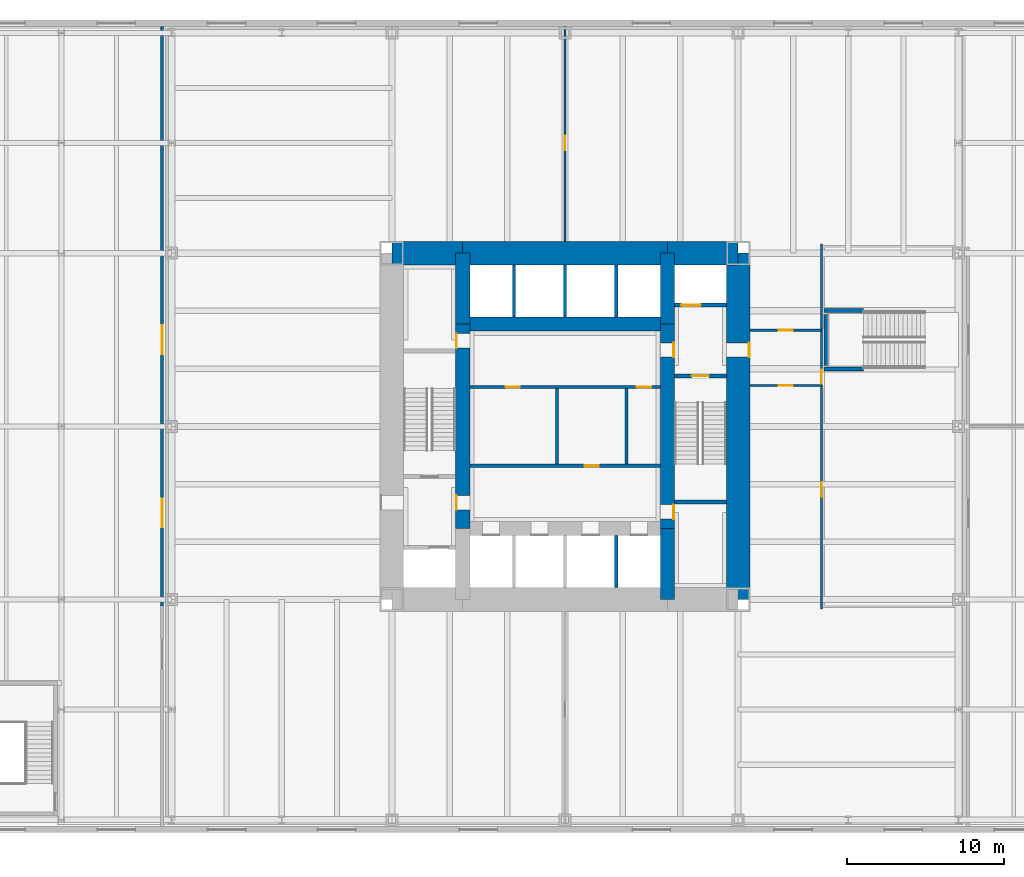
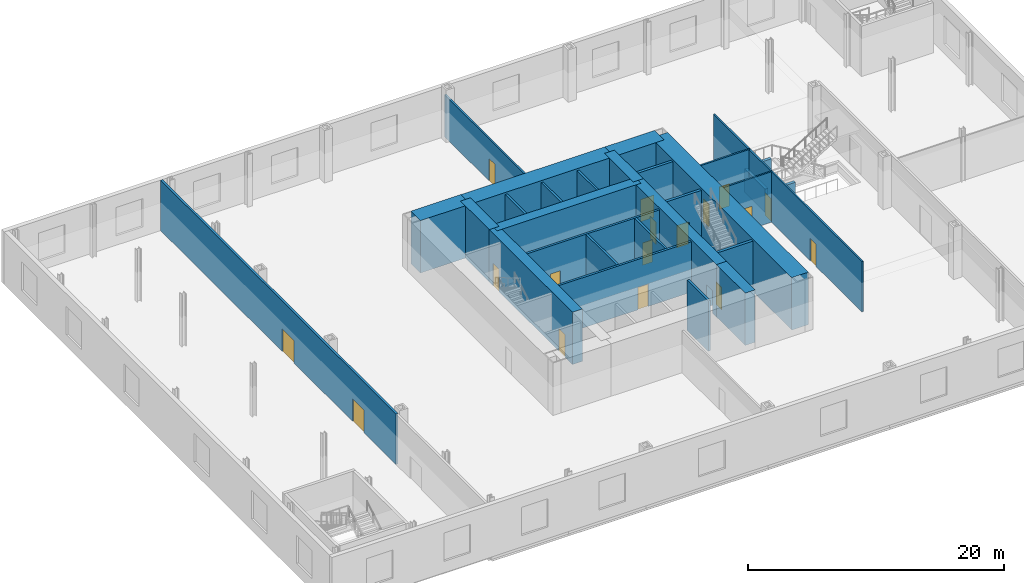
# One storey, part 9 of 13: 29 walls, 17 doors, 17 openings.
"""IFC4 building model written with IfcOpenShell, lengths in metres."""

from ifc_helpers import new_model, si_unit, direction, frame, frame_2d, origin, place, context, subcontext, project, spatial, rectangle, extrude, material, layer, layer_set, type_object, element, fill, save


model = new_model("IFC4")

# Units and contexts
model_context = context("Model", 3, precision=1e-05, world=origin(), true_north=direction((0.0, 1.0)))
body_context = subcontext(model_context, "Body", "Model", "MODEL_VIEW")
ifc_project = project(units=[si_unit("LENGTHUNIT", "METRE"), si_unit("AREAUNIT", "SQUARE_METRE"), si_unit("VOLUMEUNIT", "CUBIC_METRE"), si_unit("PLANEANGLEUNIT", "RADIAN"), si_unit("MASSUNIT", "GRAM", prefix="KILO")], contexts=[model_context])

# Site, building, storey
site_placement = place(None, origin())
site = spatial("IfcSite", under=ifc_project, at=site_placement, CompositionType="ELEMENT")
building_placement = place(site_placement, origin())
building = spatial("IfcBuilding", under=site, at=building_placement, Name="Trevanion Tower", CompositionType="ELEMENT")
storey_placement = place(building_placement, frame((0.0, 0.0, 6.0)))
storey = spatial("IfcBuildingStorey", under=building, at=storey_placement, Name="L01", CompositionType="ELEMENT", Elevation=6.0)

# Wall, opening, door
ifc_material_1 = material(Name="Concrete 10,000 psi", Category="concrete")
ifc_layer_1 = layer(ifc_material_1, 1.5)
ifc_layer_set_1 = layer_set([ifc_layer_1], Name="CW1 core wall 1500")
wall_type_1 = type_object("IfcWallType", Name="CW1 core wall 1500", PredefinedType="SHEAR", material=ifc_layer_set_1)
wall_1_placement = place(storey_placement, frame((11.0, -11.0, 0.0), z_axis=(0.0, 0.0, 1.0), x_axis=(0.0, 1.0, 0.0)))
wall_1 = element("IfcWall", 1, at=wall_1_placement, inside=storey, type_object=wall_type_1, Name="CW1 CE L01", PredefinedType="SHEAR", context=body_context, shape_type="SweptSolid", body=[
    extrude(rectangle(XDim=22.0, YDim=1.5, at=frame_2d((11.0, 0.0))), origin(), (0.0, 0.0, 1.0), 5.0),
])
opening_1_placement = place(wall_1_placement, frame((15.392578125, 0.0, 0.0)))
opening_1 = element("IfcOpeningElement", 2, at=opening_1_placement, cuts=wall_1, Name="Opening 01-001", PredefinedType="OPENING", context=body_context, shape_type="SweptSolid", body=[
    extrude(rectangle(XDim=0.9150390625, YDim=2.134033203125, at=frame_2d((0.45751953125, 1.06689453125))), frame((0.0, 0.760009765625, 0.0), z_axis=(0.0, -1.0, 0.0), x_axis=(1.0, 0.0, 0.0)), (0.0, 0.0, 1.0), 1.52001953125),
])
ifc_material_2 = material(Name="Hollow metal, fire rated", Category="steel")
door_type_1 = type_object("IfcDoorType", Name="D3 fire lift lobby door", OperationType="SINGLE_SWING_RIGHT", PredefinedType="DOOR", material=ifc_material_2)
door_1_placement = place(opening_1_placement, origin())
door_1 = element("IfcDoor", 3, at=door_1_placement, inside=storey, type_object=door_type_1, Name="Door 01-001", OperationType="SINGLE_SWING_RIGHT", OverallHeight=2.134033203125, OverallWidth=0.9150390625, PredefinedType="DOOR", context=body_context, shape_type="SweptSolid", body=[
    extrude(rectangle(XDim=0.9150390625, YDim=2.134033203125, at=frame_2d((0.45751953125, 1.06689453125))), frame((0.0, -0.6748046875, 0.0), z_axis=(0.0, -1.0, 0.0), x_axis=(1.0, 0.0, 0.0)), (0.0, 0.0, 1.0), 0.050048828125),
])
fill(opening_1, door_1)

# Walls
wall_2_placement = place(storey_placement, frame((11.0, 11.0, 0.0), z_axis=(0.0, 0.0, 1.0), x_axis=(-1.0, 0.0, 0.0)))
element("IfcWall", 4, at=wall_2_placement, inside=storey, type_object=wall_type_1, Name="CW1 CN1 L01", PredefinedType="SHEAR", context=body_context, shape_type="SweptSolid", body=[
    extrude(rectangle(XDim=4.5, YDim=1.5, at=frame_2d((2.25, 0.0))), origin(), (0.0, 0.0, 1.0), 5.0),
])
wall_3_placement = place(storey_placement, frame((6.5, 11.0, 0.0), z_axis=(0.0, 0.0, 1.0), x_axis=(-1.0, 0.0, 0.0)))
element("IfcWall", 5, at=wall_3_placement, inside=storey, type_object=wall_type_1, Name="CW1 CN2 L01", PredefinedType="SHEAR", context=body_context, shape_type="SweptSolid", body=[
    extrude(rectangle(XDim=13.0, YDim=1.5, at=frame_2d((6.5, 0.0))), origin(), (0.0, 0.0, 1.0), 5.0),
])
wall_4_placement = place(storey_placement, frame((-6.5, 11.0, 0.0), z_axis=(0.0, 0.0, 1.0), x_axis=(-1.0, 0.0, 0.0)))
element("IfcWall", 6, at=wall_4_placement, inside=storey, type_object=wall_type_1, Name="CW1 CN3 L01", PredefinedType="SHEAR", context=body_context, shape_type="SweptSolid", body=[
    extrude(rectangle(XDim=4.5, YDim=1.5, at=frame_2d((2.25, 0.0))), origin(), (0.0, 0.0, 1.0), 5.0),
])
ifc_material_3 = material(Name="Concrete 10,000 psi", Category="concrete")
ifc_layer_2 = layer(ifc_material_3, 0.89990234375)
ifc_layer_set_2 = layer_set([ifc_layer_2], Name="CW2 core wall 900")
wall_type_2 = type_object("IfcWallType", Name="CW2 core wall 900", PredefinedType="SHEAR", material=ifc_layer_set_2)
wall_5_placement = place(storey_placement, frame((6.5, -11.0, 0.0), z_axis=(0.0, 0.0, 1.0), x_axis=(0.0, 1.0, 0.0)))
element("IfcWall", 7, at=wall_5_placement, inside=storey, type_object=wall_type_2, Name="CW2 RE1 L01", PredefinedType="SHEAR", context=body_context, shape_type="SweptSolid", body=[
    extrude(rectangle(XDim=4.5, YDim=0.89990234375, at=frame_2d((2.25, 0.0))), origin(), (0.0, 0.0, 1.0), 5.0),
])

# Wall, openings, doors
wall_6_placement = place(storey_placement, frame((6.5, -6.5, 0.0), z_axis=(0.0, 0.0, 1.0), x_axis=(0.0, 1.0, 0.0)))
wall_6 = element("IfcWall", 8, at=wall_6_placement, inside=storey, type_object=wall_type_2, Name="CW2 RE2 L01", PredefinedType="SHEAR", context=body_context, shape_type="SweptSolid", body=[
    extrude(rectangle(XDim=13.0, YDim=0.89990234375, at=frame_2d((6.5, 0.0))), origin(), (0.0, 0.0, 1.0), 5.0),
])
opening_2_placement = place(wall_6_placement, frame((10.892578125, 0.0, 0.0)))
opening_2 = element("IfcOpeningElement", 9, at=opening_2_placement, cuts=wall_6, Name="Opening 01-003", PredefinedType="OPENING", context=body_context, shape_type="SweptSolid", body=[
    extrude(rectangle(XDim=0.9150390625, YDim=2.134033203125, at=frame_2d((0.45751953125, 1.06689453125))), frame((0.0, 0.4599609375, 0.0), z_axis=(0.0, -1.0, 0.0), x_axis=(1.0, 0.0, 0.0)), (0.0, 0.0, 1.0), 0.919921875),
])
opening_3_placement = place(wall_6_placement, frame((0.610107421875, 0.0, 0.0)))
opening_3 = element("IfcOpeningElement", 10, at=opening_3_placement, cuts=wall_6, Name="Opening 01-009", PredefinedType="OPENING", context=body_context, shape_type="SweptSolid", body=[
    extrude(rectangle(XDim=0.9150390625, YDim=2.134033203125, at=frame_2d((0.45751953125, 1.06689453125))), frame((0.0, 0.4599609375, 0.0), z_axis=(0.0, -1.0, 0.0), x_axis=(1.0, 0.0, 0.0)), (0.0, 0.0, 1.0), 0.919921875),
])
door_2_placement = place(opening_2_placement, origin())
door_2 = element("IfcDoor", 11, at=door_2_placement, inside=storey, type_object=door_type_1, Name="Door 01-003", OperationType="SINGLE_SWING_RIGHT", OverallHeight=2.134033203125, OverallWidth=0.9150390625, PredefinedType="DOOR", context=body_context, shape_type="SweptSolid", body=[
    extrude(rectangle(XDim=0.9150390625, YDim=2.134033203125, at=frame_2d((0.45751953125, 1.06689453125))), frame((0.0, -0.375, 0.0), z_axis=(0.0, -1.0, 0.0), x_axis=(1.0, 0.0, 0.0)), (0.0, 0.0, 1.0), 0.050048828125),
])
fill(opening_2, door_2)
ifc_material_4 = material(Name="Hollow metal, fire rated", Category="steel")
door_type_2 = type_object("IfcDoorType", Name="D5 service room door", OperationType="SINGLE_SWING_RIGHT", PredefinedType="DOOR", material=ifc_material_4)
door_3_placement = place(opening_3_placement, origin())
door_3 = element("IfcDoor", 12, at=door_3_placement, inside=storey, type_object=door_type_2, Name="Door 01-009", OperationType="SINGLE_SWING_RIGHT", OverallHeight=2.134033203125, OverallWidth=0.9150390625, PredefinedType="DOOR", context=body_context, shape_type="SweptSolid", body=[
    extrude(rectangle(XDim=0.9150390625, YDim=2.134033203125, at=frame_2d((0.45751953125, 1.06689453125))), frame((0.0, -0.375, 0.0), z_axis=(0.0, -1.0, 0.0), x_axis=(1.0, 0.0, 0.0)), (0.0, 0.0, 1.0), 0.050048828125),
])
fill(opening_3, door_3)

# Walls
for number, where, z_axis, x_axis, name in (
    (13, (6.5, 6.5, 0.0), (0.0, 0.0, 1.0), (0.0, 1.0, 0.0), "CW2 RE3 L01"),
    (14, (-6.5, 11.0, 0.0), (0.0, 0.0, 1.0), (0.0, -1.0, 0.0), "CW2 RW1 L01"),
):
    element("IfcWall", number, at=place(storey_placement, frame(where, z_axis=z_axis, x_axis=x_axis)), inside=storey, type_object=wall_type_2, Name=name, PredefinedType="SHEAR", context=body_context, shape_type="SweptSolid", body=[
        extrude(rectangle(XDim=4.5, YDim=0.89990234375, at=frame_2d((2.25, 0.0))), origin(), (0.0, 0.0, 1.0), 5.0),
    ])

# Wall, openings, doors
wall_7_placement = place(storey_placement, frame((-6.5, 6.5, 0.0), z_axis=(0.0, 0.0, 1.0), x_axis=(0.0, -1.0, 0.0)))
wall_7 = element("IfcWall", 15, at=wall_7_placement, inside=storey, type_object=wall_type_2, Name="CW2 RW2 L01", PredefinedType="SHEAR", context=body_context, shape_type="SweptSolid", body=[
    extrude(rectangle(XDim=13.0, YDim=0.89990234375, at=frame_2d((6.5, 0.0))), origin(), (0.0, 0.0, 1.0), 5.0),
])
opening_4_placement = place(wall_7_placement, frame((10.892578125, 0.0, 0.0)))
opening_4 = element("IfcOpeningElement", 16, at=opening_4_placement, cuts=wall_7, Name="Opening 01-004", PredefinedType="OPENING", context=body_context, shape_type="SweptSolid", body=[
    extrude(rectangle(XDim=0.9150390625, YDim=2.134033203125, at=frame_2d((0.45751953125, 1.06689453125))), frame((0.0, 0.4599609375, 0.0), z_axis=(0.0, -1.0, 0.0), x_axis=(1.0, 0.0, 0.0)), (0.0, 0.0, 1.0), 0.919921875),
])
opening_5_placement = place(wall_7_placement, frame((0.610107421875, 0.0, 0.0)))
opening_5 = element("IfcOpeningElement", 17, at=opening_5_placement, cuts=wall_7, Name="Opening 01-010", PredefinedType="OPENING", context=body_context, shape_type="SweptSolid", body=[
    extrude(rectangle(XDim=0.9150390625, YDim=2.134033203125, at=frame_2d((0.45751953125, 1.06689453125))), frame((0.0, 0.4599609375, 0.0), z_axis=(0.0, -1.0, 0.0), x_axis=(1.0, 0.0, 0.0)), (0.0, 0.0, 1.0), 0.919921875),
])
door_4_placement = place(opening_4_placement, origin())
door_4 = element("IfcDoor", 18, at=door_4_placement, inside=storey, type_object=door_type_1, Name="Door 01-004", OperationType="SINGLE_SWING_RIGHT", OverallHeight=2.134033203125, OverallWidth=0.9150390625, PredefinedType="DOOR", context=body_context, shape_type="SweptSolid", body=[
    extrude(rectangle(XDim=0.9150390625, YDim=2.134033203125, at=frame_2d((0.45751953125, 1.06689453125))), frame((0.0, -0.375, 0.0), z_axis=(0.0, -1.0, 0.0), x_axis=(1.0, 0.0, 0.0)), (0.0, 0.0, 1.0), 0.050048828125),
])
fill(opening_4, door_4)
door_5_placement = place(opening_5_placement, origin())
door_5 = element("IfcDoor", 19, at=door_5_placement, inside=storey, type_object=door_type_2, Name="Door 01-010", OperationType="SINGLE_SWING_RIGHT", OverallHeight=2.134033203125, OverallWidth=0.9150390625, PredefinedType="DOOR", context=body_context, shape_type="SweptSolid", body=[
    extrude(rectangle(XDim=0.9150390625, YDim=2.134033203125, at=frame_2d((0.45751953125, 1.06689453125))), frame((0.0, -0.375, 0.0), z_axis=(0.0, -1.0, 0.0), x_axis=(1.0, 0.0, 0.0)), (0.0, 0.0, 1.0), 0.050048828125),
])
fill(opening_5, door_5)

# Wall
wall_8_placement = place(storey_placement, frame((6.5, 6.5, 0.0), z_axis=(0.0, 0.0, 1.0), x_axis=(-1.0, 0.0, 0.0)))
element("IfcWall", 20, at=wall_8_placement, inside=storey, type_object=wall_type_2, Name="CW2 RN L01", PredefinedType="SHEAR", context=body_context, shape_type="SweptSolid", body=[
    extrude(rectangle(XDim=13.0, YDim=0.89990234375, at=frame_2d((6.5, 0.0))), origin(), (0.0, 0.0, 1.0), 5.0),
])

# Wall, openings, doors
ifc_material_5 = material(Name="Gypsum board on steel studs", Category="steel")
ifc_layer_3 = layer(ifc_material_5, 0.14990234375)
ifc_layer_set_3 = layer_set([ifc_layer_3], Name="PT1 partition 150")
wall_type_3 = type_object("IfcWallType", Name="PT1 partition 150", PredefinedType="PARTITIONING", material=ifc_layer_set_3)
wall_9_placement = place(storey_placement, frame((16.300048828125, -11.60009765625, 0.0), z_axis=(0.0, 0.0, 1.0), x_axis=(0.0, 1.0, 0.0)))
wall_9 = element("IfcWall", 21, at=wall_9_placement, inside=storey, type_object=wall_type_3, Name="PT1 L01 FY1", PredefinedType="PARTITIONING", context=body_context, shape_type="SweptSolid", body=[
    extrude(rectangle(XDim=23.2001953125, YDim=0.14990234375, at=frame_2d((11.60009765625, 0.0))), origin(), (0.0, 0.0, 1.0), 4.81005859375),
])
opening_6_placement = place(wall_9_placement, frame((7.142578125, 0.0, 0.0)))
opening_6 = element("IfcOpeningElement", 22, at=opening_6_placement, cuts=wall_9, Name="Opening 01-024", PredefinedType="OPENING", context=body_context, shape_type="SweptSolid", body=[
    extrude(rectangle(XDim=0.9150390625, YDim=2.134033203125, at=frame_2d((0.45751953125, 1.06689453125))), frame((0.0, 0.0849609375, 0.0), z_axis=(0.0, -1.0, 0.0), x_axis=(1.0, 0.0, 0.0)), (0.0, 0.0, 1.0), 0.169921875),
])
opening_7_placement = place(wall_9_placement, frame((14.29248046875, 0.0, 0.0)))
opening_7 = element("IfcOpeningElement", 23, at=opening_7_placement, cuts=wall_9, Name="Opening 01-027", PredefinedType="OPENING", context=body_context, shape_type="SweptSolid", body=[
    extrude(rectangle(XDim=0.9150390625, YDim=2.134033203125, at=frame_2d((0.45751953125, 1.06689453125))), frame((0.0, 0.0849609375, 0.0), z_axis=(0.0, -1.0, 0.0), x_axis=(1.0, 0.0, 0.0)), (0.0, 0.0, 1.0), 0.169921875),
])
ifc_material_6 = material(Name="Timber veneer, solid core", Category="wood")
door_type_3 = type_object("IfcDoorType", Name="D1 office and meeting room door", OperationType="SINGLE_SWING_LEFT", PredefinedType="DOOR", material=ifc_material_6)
door_6_placement = place(opening_6_placement, origin())
door_6 = element("IfcDoor", 24, at=door_6_placement, inside=storey, type_object=door_type_3, Name="Door 01-024", OperationType="SINGLE_SWING_LEFT", OverallHeight=2.134033203125, OverallWidth=0.9150390625, PredefinedType="DOOR", context=body_context, shape_type="SweptSolid", body=[
    extrude(rectangle(XDim=0.9150390625, YDim=2.134033203125, at=frame_2d((0.45751953125, 1.06689453125))), frame((0.0, 0.02490234375, 0.0), z_axis=(0.0, -1.0, 0.0), x_axis=(1.0, 0.0, 0.0)), (0.0, 0.0, 1.0), 0.050048828125),
])
fill(opening_6, door_6)
door_7_placement = place(opening_7_placement, origin())
door_7 = element("IfcDoor", 25, at=door_7_placement, inside=storey, type_object=door_type_3, Name="Door 01-027", OperationType="SINGLE_SWING_LEFT", OverallHeight=2.134033203125, OverallWidth=0.9150390625, PredefinedType="DOOR", context=body_context, shape_type="SweptSolid", body=[
    extrude(rectangle(XDim=0.9150390625, YDim=2.134033203125, at=frame_2d((0.45751953125, 1.06689453125))), frame((0.0, 0.02490234375, 0.0), z_axis=(0.0, -1.0, 0.0), x_axis=(1.0, 0.0, 0.0)), (0.0, 0.0, 1.0), 0.050048828125),
])
fill(opening_7, door_7)

# Wall, opening, door
wall_10_placement = place(storey_placement, frame((0.0, 11.75, 0.0), z_axis=(0.0, 0.0, 1.0), x_axis=(0.0, 1.0, 0.0)))
wall_10 = element("IfcWall", 26, at=wall_10_placement, inside=storey, type_object=wall_type_3, Name="PT1 L01 XN", PredefinedType="PARTITIONING", context=body_context, shape_type="SweptSolid", body=[
    extrude(rectangle(XDim=13.659912109375, YDim=0.14990234375, at=frame_2d((6.830078125, 0.0))), origin(), (0.0, 0.0, 1.0), 4.00732421875),
])
opening_8_placement = place(wall_10_placement, frame((5.79248046875, 0.0, 0.0)))
opening_8 = element("IfcOpeningElement", 27, at=opening_8_placement, cuts=wall_10, Name="Opening 01-025", PredefinedType="OPENING", context=body_context, shape_type="SweptSolid", body=[
    extrude(rectangle(XDim=0.9150390625, YDim=2.134033203125, at=frame_2d((0.45751953125, 1.06689453125))), frame((0.0, 0.0849609375, 0.0), z_axis=(0.0, -1.0, 0.0), x_axis=(1.0, 0.0, 0.0)), (0.0, 0.0, 1.0), 0.169921875),
])
door_8_placement = place(opening_8_placement, origin())
door_8 = element("IfcDoor", 28, at=door_8_placement, inside=storey, type_object=door_type_3, Name="Door 01-025", OperationType="SINGLE_SWING_LEFT", OverallHeight=2.134033203125, OverallWidth=0.9150390625, PredefinedType="DOOR", context=body_context, shape_type="SweptSolid", body=[
    extrude(rectangle(XDim=0.9150390625, YDim=2.134033203125, at=frame_2d((0.45751953125, 1.06689453125))), frame((0.0, 0.02490234375, 0.0), z_axis=(0.0, -1.0, 0.0), x_axis=(1.0, 0.0, 0.0)), (0.0, 0.0, 1.0), 0.050048828125),
])
fill(opening_8, door_8)

wall_11_placement = place(storey_placement, frame((11.75, 2.60009765625, 0.0), z_axis=(0.0, 0.0, 1.0), x_axis=(1.0, 0.0, 0.0)))
wall_11 = element("IfcWall", 29, at=wall_11_placement, inside=storey, type_object=wall_type_3, Name="PT1 L01 FC4", PredefinedType="PARTITIONING", context=body_context, shape_type="SweptSolid", body=[
    extrude(rectangle(XDim=4.550048828125, YDim=0.14990234375, at=frame_2d((2.27490234375, 0.0))), origin(), (0.0, 0.0, 1.0), 4.81005859375),
])
opening_9_placement = place(wall_11_placement, frame((1.8173828125, 0.0, 0.0)))
opening_9 = element("IfcOpeningElement", 30, at=opening_9_placement, cuts=wall_11, Name="Opening 01-028", PredefinedType="OPENING", context=body_context, shape_type="SweptSolid", body=[
    extrude(rectangle(XDim=0.9150390625, YDim=2.134033203125, at=frame_2d((0.45751953125, 1.06689453125))), frame((0.0, 0.0849609375, 0.0), z_axis=(0.0, -1.0, 0.0), x_axis=(1.0, 0.0, 0.0)), (0.0, 0.0, 1.0), 0.169921875),
])
door_9_placement = place(opening_9_placement, origin())
door_9 = element("IfcDoor", 31, at=door_9_placement, inside=storey, type_object=door_type_3, Name="Door 01-028", OperationType="SINGLE_SWING_LEFT", OverallHeight=2.134033203125, OverallWidth=0.9150390625, PredefinedType="DOOR", context=body_context, shape_type="SweptSolid", body=[
    extrude(rectangle(XDim=0.9150390625, YDim=2.134033203125, at=frame_2d((0.45751953125, 1.06689453125))), frame((0.0, 0.02490234375, 0.0), z_axis=(0.0, -1.0, 0.0), x_axis=(1.0, 0.0, 0.0)), (0.0, 0.0, 1.0), 0.050048828125),
])
fill(opening_9, door_9)

wall_12_placement = place(storey_placement, frame((11.75, 6.10009765625, 0.0), z_axis=(0.0, 0.0, 1.0), x_axis=(1.0, 0.0, 0.0)))
wall_12 = element("IfcWall", 32, at=wall_12_placement, inside=storey, type_object=wall_type_3, Name="PT1 L01 FC5", PredefinedType="PARTITIONING", context=body_context, shape_type="SweptSolid", body=[
    extrude(rectangle(XDim=4.550048828125, YDim=0.14990234375, at=frame_2d((2.27490234375, 0.0))), origin(), (0.0, 0.0, 1.0), 4.81005859375),
])
opening_10_placement = place(wall_12_placement, frame((1.8173828125, 0.0, 0.0)))
opening_10 = element("IfcOpeningElement", 33, at=opening_10_placement, cuts=wall_12, Name="Opening 01-029", PredefinedType="OPENING", context=body_context, shape_type="SweptSolid", body=[
    extrude(rectangle(XDim=0.9150390625, YDim=2.134033203125, at=frame_2d((0.45751953125, 1.06689453125))), frame((0.0, 0.0849609375, 0.0), z_axis=(0.0, -1.0, 0.0), x_axis=(1.0, 0.0, 0.0)), (0.0, 0.0, 1.0), 0.169921875),
])
door_10_placement = place(opening_10_placement, origin())
door_10 = element("IfcDoor", 34, at=door_10_placement, inside=storey, type_object=door_type_3, Name="Door 01-029", OperationType="SINGLE_SWING_LEFT", OverallHeight=2.134033203125, OverallWidth=0.9150390625, PredefinedType="DOOR", context=body_context, shape_type="SweptSolid", body=[
    extrude(rectangle(XDim=0.9150390625, YDim=2.134033203125, at=frame_2d((0.45751953125, 1.06689453125))), frame((0.0, 0.02490234375, 0.0), z_axis=(0.0, -1.0, 0.0), x_axis=(1.0, 0.0, 0.0)), (0.0, 0.0, 1.0), 0.050048828125),
])
fill(opening_10, door_10)

# Walls
ifc_material_7 = material(Name="Concrete masonry, grouted", Category="masonry")
ifc_layer_4 = layer(ifc_material_7, 0.199951171875)
ifc_layer_set_4 = layer_set([ifc_layer_4], Name="PT2 partition 200")
wall_type_4 = type_object("IfcWallType", Name="PT2 partition 200", PredefinedType="PARTITIONING", material=ifc_layer_set_4)
for number, where, z_axis, x_axis, name in (
    (35, (-0.5, -2.39990234375, 0.0), (0.0, 0.0, 1.0), (0.0, 1.0, 0.0), "PT2 L01 TP1"),
    (36, (3.89990234375, -2.39990234375, 0.0), (0.0, 0.0, 1.0), (0.0, 1.0, 0.0), "PT2 L01 TP2"),
):
    element("IfcWall", number, at=place(storey_placement, frame(where, z_axis=z_axis, x_axis=x_axis)), inside=storey, type_object=wall_type_4, Name=name, PredefinedType="PARTITIONING", context=body_context, shape_type="SweptSolid", body=[
        extrude(rectangle(XDim=4.7998046875, YDim=0.199951171875, at=frame_2d((2.39990234375, 0.0))), origin(), (0.0, 0.0, 1.0), 4.81005859375),
    ])

# Wall, openings, doors
ifc_material_8 = material(Name="Concrete masonry, grouted", Category="masonry")
ifc_layer_5 = layer(ifc_material_8, 0.199951171875)
ifc_layer_set_5 = layer_set([ifc_layer_5], Name="PT2 partition 200 1 HR")
wall_type_5 = type_object("IfcWallType", Name="PT2 partition 200 1 HR", PredefinedType="PARTITIONING", material=ifc_layer_set_5)
wall_13_placement = place(storey_placement, frame((-6.050048828125, 2.5, 0.0), z_axis=(0.0, 0.0, 1.0), x_axis=(1.0, 0.0, 0.0)))
wall_13 = element("IfcWall", 37, at=wall_13_placement, inside=storey, type_object=wall_type_5, Name="PT2 L01 CP1", PredefinedType="PARTITIONING", context=body_context, shape_type="SweptSolid", body=[
    extrude(rectangle(XDim=12.10009765625, YDim=0.199951171875, at=frame_2d((6.050048828125, 0.0))), origin(), (0.0, 0.0, 1.0), 4.81005859375),
])
opening_11_placement = place(wall_13_placement, frame((2.267578125, 0.0, 0.0)))
opening_11 = element("IfcOpeningElement", 38, at=opening_11_placement, cuts=wall_13, Name="Opening 01-015", PredefinedType="OPENING", context=body_context, shape_type="SweptSolid", body=[
    extrude(rectangle(XDim=0.9150390625, YDim=2.134033203125, at=frame_2d((0.45751953125, 1.06689453125))), frame((0.0, 0.10986328125, 0.0), z_axis=(0.0, -1.0, 0.0), x_axis=(1.0, 0.0, 0.0)), (0.0, 0.0, 1.0), 0.219970703125),
])
opening_12_placement = place(wall_13_placement, frame((10.617431640625, 0.0, 0.0)))
opening_12 = element("IfcOpeningElement", 39, at=opening_12_placement, cuts=wall_13, Name="Opening 01-017", PredefinedType="OPENING", context=body_context, shape_type="SweptSolid", body=[
    extrude(rectangle(XDim=0.9150390625, YDim=2.134033203125, at=frame_2d((0.45751953125, 1.06689453125))), frame((0.0, 0.10986328125, 0.0), z_axis=(0.0, -1.0, 0.0), x_axis=(1.0, 0.0, 0.0)), (0.0, 0.0, 1.0), 0.219970703125),
])
ifc_material_9 = material(Name="Plastic laminate on fire-rated core", Category="wood")
door_type_4 = type_object("IfcDoorType", Name="D12 toilet door in a one hour wall", OperationType="SINGLE_SWING_LEFT", PredefinedType="DOOR", material=ifc_material_9)
door_11_placement = place(opening_11_placement, origin())
door_11 = element("IfcDoor", 40, at=door_11_placement, inside=storey, type_object=door_type_4, Name="Door 01-015", OperationType="SINGLE_SWING_LEFT", OverallHeight=2.134033203125, OverallWidth=0.9150390625, PredefinedType="DOOR", context=body_context, shape_type="SweptSolid", body=[
    extrude(rectangle(XDim=0.9150390625, YDim=2.134033203125, at=frame_2d((0.45751953125, 1.06689453125))), frame((0.0, 0.02490234375, 0.0), z_axis=(0.0, -1.0, 0.0), x_axis=(1.0, 0.0, 0.0)), (0.0, 0.0, 1.0), 0.050048828125),
])
fill(opening_11, door_11)
door_12_placement = place(opening_12_placement, origin())
door_12 = element("IfcDoor", 41, at=door_12_placement, inside=storey, type_object=door_type_4, Name="Door 01-017", OperationType="SINGLE_SWING_LEFT", OverallHeight=2.134033203125, OverallWidth=0.9150390625, PredefinedType="DOOR", context=body_context, shape_type="SweptSolid", body=[
    extrude(rectangle(XDim=0.9150390625, YDim=2.134033203125, at=frame_2d((0.45751953125, 1.06689453125))), frame((0.0, 0.02490234375, 0.0), z_axis=(0.0, -1.0, 0.0), x_axis=(1.0, 0.0, 0.0)), (0.0, 0.0, 1.0), 0.050048828125),
])
fill(opening_12, door_12)

# Wall, opening, door
wall_14_placement = place(storey_placement, frame((6.050048828125, -2.5, 0.0), z_axis=(0.0, 0.0, 1.0), x_axis=(-1.0, 0.0, 0.0)))
wall_14 = element("IfcWall", 42, at=wall_14_placement, inside=storey, type_object=wall_type_5, Name="PT2 L01 CP2", PredefinedType="PARTITIONING", context=body_context, shape_type="SweptSolid", body=[
    extrude(rectangle(XDim=12.10009765625, YDim=0.199951171875, at=frame_2d((6.050048828125, 0.0))), origin(), (0.0, 0.0, 1.0), 4.81005859375),
])
opening_13_placement = place(wall_14_placement, frame((3.892578125, 0.0, 0.0)))
opening_13 = element("IfcOpeningElement", 43, at=opening_13_placement, cuts=wall_14, Name="Opening 01-016", PredefinedType="OPENING", context=body_context, shape_type="SweptSolid", body=[
    extrude(rectangle(XDim=0.9150390625, YDim=2.134033203125, at=frame_2d((0.45751953125, 1.06689453125))), frame((0.0, 0.10986328125, 0.0), z_axis=(0.0, -1.0, 0.0), x_axis=(1.0, 0.0, 0.0)), (0.0, 0.0, 1.0), 0.219970703125),
])
door_13_placement = place(opening_13_placement, origin())
door_13 = element("IfcDoor", 44, at=door_13_placement, inside=storey, type_object=door_type_4, Name="Door 01-016", OperationType="SINGLE_SWING_LEFT", OverallHeight=2.134033203125, OverallWidth=0.9150390625, PredefinedType="DOOR", context=body_context, shape_type="SweptSolid", body=[
    extrude(rectangle(XDim=0.9150390625, YDim=2.134033203125, at=frame_2d((0.45751953125, 1.06689453125))), frame((0.0, 0.02490234375, 0.0), z_axis=(0.0, -1.0, 0.0), x_axis=(1.0, 0.0, 0.0)), (0.0, 0.0, 1.0), 0.050048828125),
])
fill(opening_13, door_13)

# Wall, openings, doors
wall_15_placement = place(storey_placement, frame((-25.60009765625, 25.409912109375, 0.0), z_axis=(0.0, 0.0, 1.0), x_axis=(0.0, -1.0, 0.0)))
wall_15 = element("IfcWall", 45, at=wall_15_placement, inside=storey, type_object=wall_type_5, Name="PT2 L01 WW1", PredefinedType="PARTITIONING", context=body_context, shape_type="SweptSolid", body=[
    extrude(rectangle(XDim=36.809814453125, YDim=0.199951171875, at=frame_2d((18.40478515625, 0.0))), origin(), (0.0, 0.0, 1.0), 4.81005859375),
])
opening_14_placement = place(wall_15_placement, frame((29.9951171875, 0.0, 0.0)))
opening_14 = element("IfcOpeningElement", 46, at=opening_14_placement, cuts=wall_15, Name="Opening 01-022", PredefinedType="OPENING", context=body_context, shape_type="SweptSolid", body=[
    extrude(rectangle(XDim=1.830078125, YDim=2.134033203125, at=frame_2d((0.9150390625, 1.06689453125))), frame((0.0, 0.10986328125, 0.0), z_axis=(0.0, -1.0, 0.0), x_axis=(1.0, 0.0, 0.0)), (0.0, 0.0, 1.0), 0.219970703125),
])
opening_15_placement = place(wall_15_placement, frame((18.9951171875, 0.0, 0.0)))
opening_15 = element("IfcOpeningElement", 47, at=opening_15_placement, cuts=wall_15, Name="Opening 01-023", PredefinedType="OPENING", context=body_context, shape_type="SweptSolid", body=[
    extrude(rectangle(XDim=1.830078125, YDim=2.134033203125, at=frame_2d((0.9150390625, 1.06689453125))), frame((0.0, 0.10986328125, 0.0), z_axis=(0.0, -1.0, 0.0), x_axis=(1.0, 0.0, 0.0)), (0.0, 0.0, 1.0), 0.219970703125),
])
ifc_material_10 = material(Name="Timber veneer, fire rated", Category="wood")
door_type_5 = type_object("IfcDoorType", Name="D8 wing double door", OperationType="DOUBLE_DOOR_DOUBLE_SWING", PredefinedType="DOOR", material=ifc_material_10)
door_14_placement = place(opening_14_placement, origin())
door_14 = element("IfcDoor", 48, at=door_14_placement, inside=storey, type_object=door_type_5, Name="Door 01-022", OperationType="DOUBLE_DOOR_DOUBLE_SWING", OverallHeight=2.134033203125, OverallWidth=1.830078125, PredefinedType="DOOR", context=body_context, shape_type="SweptSolid", body=[
    extrude(rectangle(XDim=1.830078125, YDim=2.134033203125, at=frame_2d((0.9150390625, 1.06689453125))), frame((0.0, 0.02490234375, 0.0), z_axis=(0.0, -1.0, 0.0), x_axis=(1.0, 0.0, 0.0)), (0.0, 0.0, 1.0), 0.050048828125),
])
fill(opening_14, door_14)
door_15_placement = place(opening_15_placement, origin())
door_15 = element("IfcDoor", 49, at=door_15_placement, inside=storey, type_object=door_type_5, Name="Door 01-023", OperationType="DOUBLE_DOOR_DOUBLE_SWING", OverallHeight=2.134033203125, OverallWidth=1.830078125, PredefinedType="DOOR", context=body_context, shape_type="SweptSolid", body=[
    extrude(rectangle(XDim=1.830078125, YDim=2.134033203125, at=frame_2d((0.9150390625, 1.06689453125))), frame((0.0, 0.02490234375, 0.0), z_axis=(0.0, -1.0, 0.0), x_axis=(1.0, 0.0, 0.0)), (0.0, 0.0, 1.0), 0.050048828125),
])
fill(opening_15, door_15)

# Walls
ifc_material_11 = material(Name="Concrete masonry, grouted", Category="masonry")
ifc_layer_6 = layer(ifc_material_11, 0.199951171875)
ifc_layer_set_6 = layer_set([ifc_layer_6], Name="PT2 partition 200 2 HR")
wall_type_6 = type_object("IfcWallType", Name="PT2 partition 200 2 HR", PredefinedType="PARTITIONING", material=ifc_layer_set_6)
for number, where, z_axis, x_axis, name in (
    (50, (-3.25, 6.949951171875, 0.0), (0.0, 0.0, 1.0), (0.0, 1.0, 0.0), "PT2 L01 NS0"),
    (51, (0.0, 6.949951171875, 0.0), (0.0, 0.0, 1.0), (0.0, 1.0, 0.0), "PT2 L01 NS1"),
    (52, (3.25, 6.949951171875, 0.0), (0.0, 0.0, 1.0), (0.0, 1.0, 0.0), "PT2 L01 NS2"),
    (53, (3.25, -10.25, 0.0), (0.0, 0.0, 1.0), (0.0, 1.0, 0.0), "PT2 L01 SS2"),
):
    element("IfcWall", number, at=place(storey_placement, frame(where, z_axis=z_axis, x_axis=x_axis)), inside=storey, type_object=wall_type_6, Name=name, PredefinedType="PARTITIONING", context=body_context, shape_type="SweptSolid", body=[
        extrude(rectangle(XDim=3.300048828125, YDim=0.199951171875, at=frame_2d((1.64990234375, 0.0))), origin(), (0.0, 0.0, 1.0), 4.81005859375),
    ])

# Wall, opening, door
ifc_material_12 = material(Name="Concrete masonry, grouted, two-hour", Category="masonry")
ifc_layer_7 = layer(ifc_material_12, 0.25)
ifc_layer_set_7 = layer_set([ifc_layer_7], Name="PT3 partition 250 2 HR")
wall_type_7 = type_object("IfcWallType", Name="PT3 partition 250 2 HR", PredefinedType="PARTITIONING", material=ifc_layer_set_7)
wall_16_placement = place(storey_placement, frame((6.949951171875, 7.699951171875, 0.0), z_axis=(0.0, 0.0, 1.0), x_axis=(1.0, 0.0, 0.0)))
wall_16 = element("IfcWall", 54, at=wall_16_placement, inside=storey, type_object=wall_type_7, Name="PT3 L01 EP3", PredefinedType="PARTITIONING", context=body_context, shape_type="SweptSolid", body=[
    extrude(rectangle(XDim=3.300048828125, YDim=0.25, at=frame_2d((1.64990234375, 0.0))), origin(), (0.0, 0.0, 1.0), 4.81005859375),
])
opening_16_placement = place(wall_16_placement, frame((0.449951171875, 0.0, 0.0)))
opening_16 = element("IfcOpeningElement", 55, at=opening_16_placement, cuts=wall_16, Name="Opening 01-007", PredefinedType="OPENING", context=body_context, shape_type="SweptSolid", body=[
    extrude(rectangle(XDim=1.218994140625, YDim=2.134033203125, at=frame_2d((0.609375, 1.06689453125))), frame((0.0, 0.135009765625, 0.0), z_axis=(0.0, -1.0, 0.0), x_axis=(1.0, 0.0, 0.0)), (0.0, 0.0, 1.0), 0.27001953125),
])
ifc_material_13 = material(Name="Stainless steel, fire rated", Category="steel")
door_type_6 = type_object("IfcDoorType", Name="LD2 fire service lift landing door", OperationType="SLIDING_TO_LEFT", PredefinedType="DOOR", material=ifc_material_13)
door_16_placement = place(opening_16_placement, origin())
door_16 = element("IfcDoor", 56, at=door_16_placement, inside=storey, type_object=door_type_6, Name="Door 01-007", OperationType="SLIDING_TO_LEFT", OverallHeight=2.134033203125, OverallWidth=1.218994140625, PredefinedType="DOOR", context=body_context, shape_type="SweptSolid", body=[
    extrude(rectangle(XDim=1.218994140625, YDim=2.134033203125, at=frame_2d((0.609375, 1.06689453125))), frame((0.0, 0.02490234375, 0.0), z_axis=(0.0, -1.0, 0.0), x_axis=(1.0, 0.0, 0.0)), (0.0, 0.0, 1.0), 0.050048828125),
])
fill(opening_16, door_16)

# Wall
ifc_material_14 = material(Name="Reinforced masonry, fully grouted", Category="masonry")
ifc_layer_8 = layer(ifc_material_14, 0.25)
ifc_layer_set_8 = layer_set([ifc_layer_8], Name="SW1 stair shaft wall 250")
wall_type_8 = type_object("IfcWallType", Name="SW1 stair shaft wall 250", PredefinedType="SOLIDWALL", material=ifc_layer_set_8)
wall_17_placement = place(storey_placement, frame((6.949951171875, -4.800048828125, 0.0), z_axis=(0.0, 0.0, 1.0), x_axis=(1.0, 0.0, 0.0)))
element("IfcWall", 57, at=wall_17_placement, inside=storey, type_object=wall_type_8, Name="SW1 L01 EP1", PredefinedType="SOLIDWALL", context=body_context, shape_type="SweptSolid", body=[
    extrude(rectangle(XDim=3.300048828125, YDim=0.25, at=frame_2d((1.64990234375, 0.0))), origin(), (0.0, 0.0, 1.0), 4.81005859375),
])

# Wall, opening, door
wall_18_placement = place(storey_placement, frame((6.949951171875, 3.199951171875, 0.0), z_axis=(0.0, 0.0, 1.0), x_axis=(1.0, 0.0, 0.0)))
wall_18 = element("IfcWall", 58, at=wall_18_placement, inside=storey, type_object=wall_type_8, Name="SW1 L01 EP2", PredefinedType="SOLIDWALL", context=body_context, shape_type="SweptSolid", body=[
    extrude(rectangle(XDim=3.300048828125, YDim=0.25, at=frame_2d((1.64990234375, 0.0))), origin(), (0.0, 0.0, 1.0), 4.81005859375),
])
opening_17_placement = place(wall_18_placement, frame((1.116455078125, 0.0, 0.0)))
opening_17 = element("IfcOpeningElement", 59, at=opening_17_placement, cuts=wall_18, Name="Opening 01-005", PredefinedType="OPENING", context=body_context, shape_type="SweptSolid", body=[
    extrude(rectangle(XDim=1.06689453125, YDim=2.134033203125, at=frame_2d((0.533447265625, 1.06689453125))), frame((0.0, 0.135009765625, 0.0), z_axis=(0.0, -1.0, 0.0), x_axis=(1.0, 0.0, 0.0)), (0.0, 0.0, 1.0), 0.27001953125),
])
ifc_material_15 = material(Name="Hollow metal, fire rated", Category="steel")
door_type_7 = type_object("IfcDoorType", Name="D2 exit stair door", OperationType="SINGLE_SWING_LEFT", PredefinedType="DOOR", material=ifc_material_15)
door_17_placement = place(opening_17_placement, origin())
door_17 = element("IfcDoor", 60, at=door_17_placement, inside=storey, type_object=door_type_7, Name="Door 01-005", OperationType="SINGLE_SWING_LEFT", OverallHeight=2.134033203125, OverallWidth=1.06689453125, PredefinedType="DOOR", context=body_context, shape_type="SweptSolid", body=[
    extrude(rectangle(XDim=1.06689453125, YDim=2.134033203125, at=frame_2d((0.533447265625, 1.06689453125))), frame((0.0, 0.02490234375, 0.0), z_axis=(0.0, -1.0, 0.0), x_axis=(1.0, 0.0, 0.0)), (0.0, 0.0, 1.0), 0.050048828125),
])
fill(opening_17, door_17)

# Walls
wall_19_placement = place(storey_placement, frame((16.574951171875, 3.88134765625, 0.0), z_axis=(0.0, 0.0, 1.0), x_axis=(0.0, 1.0, 0.0)))
element("IfcWall", 61, at=wall_19_placement, inside=storey, type_object=wall_type_8, Name="SW1 GS2 GW1 half landing wall", PredefinedType="SOLIDWALL", context=body_context, shape_type="SweptSolid", body=[
    extrude(rectangle(XDim=3.237548828125, YDim=0.25, at=frame_2d((1.61865234375, 0.0))), origin(), (0.0, 0.0, 1.0), 2.25),
])
for number, where, z_axis, x_axis, name in (
    (62, (16.449951171875, 7.35498046875, 0.0), (0.0, 0.0, 1.0), (1.0, 0.0, 0.0), "SW1 GS2 GW2 half landing wall"),
    (63, (18.9599609375, 3.64501953125, 0.0), (0.0, 0.0, 1.0), (-1.0, 0.0, 0.0), "SW1 GS2 GW3 half landing wall"),
):
    element("IfcWall", number, at=place(storey_placement, frame(where, z_axis=z_axis, x_axis=x_axis)), inside=storey, type_object=wall_type_8, Name=name, PredefinedType="SOLIDWALL", context=body_context, shape_type="SweptSolid", body=[
        extrude(rectangle(XDim=2.510009765625, YDim=0.25, at=frame_2d((1.2548828125, 0.0))), origin(), (0.0, 0.0, 1.0), 2.25),
    ])

save(model, "model.ifc")
